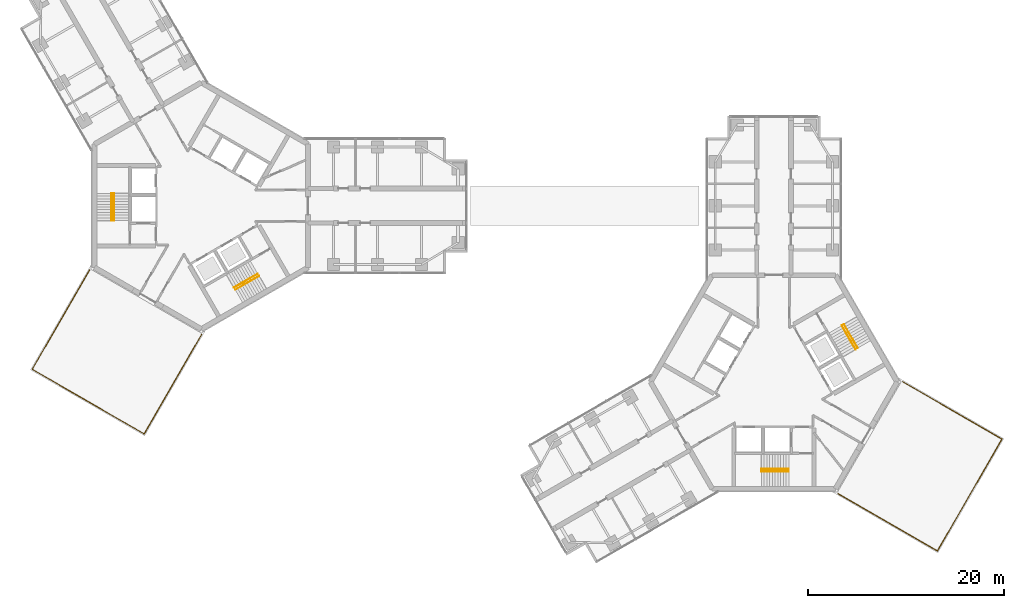
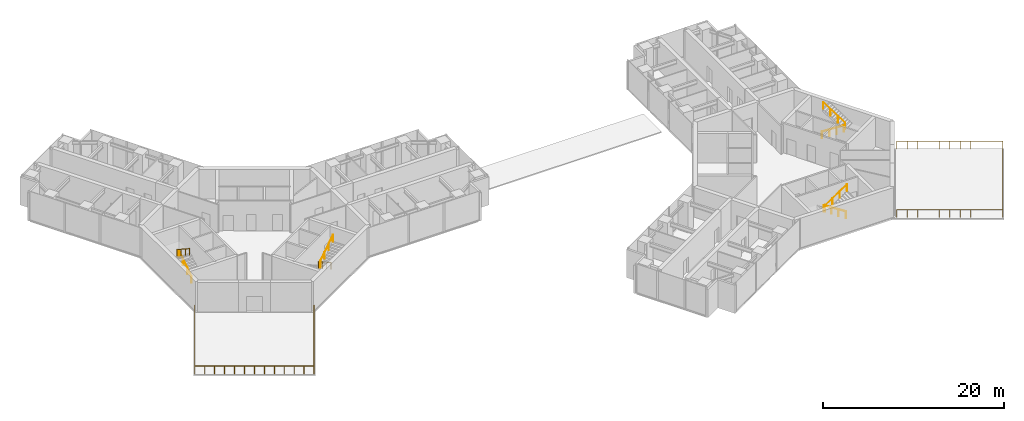
# One storey, part 17 of 18: 10 railings.
"""IFC4 building model written with IfcOpenShell, lengths in metres."""

from ifc_helpers import new_model, si_unit, direction, frame, origin, origin_2d, place, context, subcontext, project, spatial, circle, extrude, material, type_object, element, save


model = new_model("IFC4")

# Units and contexts
model_context = context("Model", 3, precision=1e-05, world=origin(), true_north=direction((0.0, 1.0)))
body_context = subcontext(model_context, "Body", "Model", "MODEL_VIEW")
ifc_project = project(units=[si_unit("LENGTHUNIT", "METRE"), si_unit("AREAUNIT", "SQUARE_METRE"), si_unit("VOLUMEUNIT", "CUBIC_METRE"), si_unit("PLANEANGLEUNIT", "RADIAN"), si_unit("MASSUNIT", "GRAM", prefix="KILO")], contexts=[model_context])

# Site, building, storey
site_placement = place(None, origin())
site = spatial("IfcSite", under=ifc_project, at=site_placement, CompositionType="ELEMENT")
building_placement = place(site_placement, origin())
building = spatial("IfcBuilding", under=site, at=building_placement, Name="Upepo Twin Towers", CompositionType="ELEMENT")
storey_placement = place(building_placement, frame((0.0, 0.0, 170.5)))
storey = spatial("IfcBuildingStorey", under=building, at=storey_placement, Name="L41", CompositionType="ELEMENT", Elevation=170.5)

# Railings
ifc_material_1 = material(Name="Stainless steel", Category="steel")
railing_type_1 = type_object("IfcRailingType", Name="Stair handrail 900", PredefinedType="HANDRAIL", material=ifc_material_1)
railing_1_placement = place(storey_placement, frame((-8.89990234375, -1.52001953125, 0.181884765625)))
element("IfcRailing", 1, at=railing_1_placement, inside=storey, type_object=railing_type_1, Name="T1 stair S1 L41 handrail 1", PredefinedType="HANDRAIL", context=body_context, shape_type="SweptSolid", body=[
    extrude(circle(Radius=0.02392578125, at=origin_2d()), frame((0.0, 0.0, 0.8759765625), z_axis=(0.0, 0.838705829183, 0.544584733623), x_axis=(-1.0, 0.0, 0.0)), (0.0, 0.0, 1.0), 3.338623046875),
    extrude(circle(Radius=0.02099609375, at=origin_2d()), origin(), (0.0, 0.0, 1.0), 0.851806640625),
    extrude(circle(Radius=0.02099609375, at=origin_2d()), frame((0.0, 0.933349609375, 0.60595703125)), (0.0, 0.0, 1.0), 0.851806640625),
    extrude(circle(Radius=0.02099609375, at=origin_2d()), frame((0.0, 1.86669921875, 1.212158203125)), (0.0, 0.0, 1.0), 0.851806640625),
    extrude(circle(Radius=0.02099609375, at=origin_2d()), frame((0.0, 2.800048828125, 1.818115234375)), (0.0, 0.0, 1.0), 0.851806640625),
])
railing_2_placement = place(storey_placement, frame((-9.158447265625, 1.280029296875, 2.181884765625)))
element("IfcRailing", 2, at=railing_2_placement, inside=storey, type_object=railing_type_1, Name="T1 stair S1 L41 handrail 2", PredefinedType="HANDRAIL", context=body_context, shape_type="SweptSolid", body=[
    extrude(circle(Radius=0.02392578125, at=origin_2d()), frame((0.0, 0.0, 0.8759765625), z_axis=(0.0, -0.838705829183, 0.544584733623), x_axis=(1.0, 0.0, 0.0)), (0.0, 0.0, 1.0), 3.338623046875),
    extrude(circle(Radius=0.02099609375, at=origin_2d()), origin(), (0.0, 0.0, 1.0), 0.851806640625),
    extrude(circle(Radius=0.02099609375, at=origin_2d()), frame((0.0, -0.933349609375, 0.60595703125)), (0.0, 0.0, 1.0), 0.851806640625),
    extrude(circle(Radius=0.02099609375, at=origin_2d()), frame((0.0, -1.86669921875, 1.212158203125)), (0.0, 0.0, 1.0), 0.851806640625),
    extrude(circle(Radius=0.02099609375, at=origin_2d()), frame((0.0, -2.800048828125, 1.818115234375)), (0.0, 0.0, 1.0), 0.851806640625),
])
railing_3_placement = place(storey_placement, frame((5.766357421875, -6.947509765625, 0.181884765625)))
element("IfcRailing", 3, at=railing_3_placement, inside=storey, type_object=railing_type_1, Name="T1 stair S2 L41 handrail 1", PredefinedType="HANDRAIL", context=body_context, shape_type="SweptSolid", body=[
    extrude(circle(Radius=0.02392578125, at=origin_2d()), frame((0.0, 0.0, 0.8759765625), z_axis=(-0.726314030065, -0.419392968428, 0.544589265193), x_axis=(0.500049511043, -0.865996816683, 0.0)), (0.0, 0.0, 1.0), 3.338623046875),
    extrude(circle(Radius=0.02099609375, at=origin_2d()), origin(), (0.0, 0.0, 1.0), 0.851806640625),
    extrude(circle(Radius=0.02099609375, at=origin_2d()), frame((-0.808349609375, -0.466796875, 0.60595703125)), (0.0, 0.0, 1.0), 0.851806640625),
    extrude(circle(Radius=0.02099609375, at=origin_2d()), frame((-1.616455078125, -0.933349609375, 1.212158203125)), (0.0, 0.0, 1.0), 0.851806640625),
    extrude(circle(Radius=0.02099609375, at=origin_2d()), frame((-2.4248046875, -1.400146484375, 1.818115234375)), (0.0, 0.0, 1.0), 0.851806640625),
])
railing_4_placement = place(storey_placement, frame((3.470703125, -8.5712890625, 2.181884765625)))
element("IfcRailing", 4, at=railing_4_placement, inside=storey, type_object=railing_type_1, Name="T1 stair S2 L41 handrail 2", PredefinedType="HANDRAIL", context=body_context, shape_type="SweptSolid", body=[
    extrude(circle(Radius=0.02392578125, at=origin_2d()), frame((0.0, 0.0, 0.8759765625), z_axis=(0.726336304947, 0.419332699614, 0.544605966869), x_axis=(-0.49998411664, 0.866034573852, 0.0)), (0.0, 0.0, 1.0), 3.33837890625),
    extrude(circle(Radius=0.02099609375, at=origin_2d()), origin(), (0.0, 0.0, 1.0), 0.851806640625),
    extrude(circle(Radius=0.02099609375, at=origin_2d()), frame((0.808349609375, 0.466552734375, 0.60595703125)), (0.0, 0.0, 1.0), 0.851806640625),
    extrude(circle(Radius=0.02099609375, at=origin_2d()), frame((1.616455078125, 0.933349609375, 1.212158203125)), (0.0, 0.0, 1.0), 0.851806640625),
    extrude(circle(Radius=0.02099609375, at=origin_2d()), frame((2.4248046875, 1.39990234375, 1.818115234375)), (0.0, 0.0, 1.0), 0.851806640625),
])
railing_5_placement = place(storey_placement, frame((60.02001953125, -26.89990234375, 0.181884765625)))
element("IfcRailing", 5, at=railing_5_placement, inside=storey, type_object=railing_type_1, Name="T2 stair S1 L41 handrail 1", PredefinedType="HANDRAIL", context=body_context, shape_type="SweptSolid", body=[
    extrude(circle(Radius=0.02392578125, at=origin_2d()), frame((0.0, 0.0, 0.8759765625), z_axis=(-0.838705829183, 0.0, 0.544584733623), x_axis=(0.0, -1.0, 0.0)), (0.0, 0.0, 1.0), 3.338623046875),
    extrude(circle(Radius=0.02099609375, at=origin_2d()), origin(), (0.0, 0.0, 1.0), 0.851806640625),
    extrude(circle(Radius=0.02099609375, at=origin_2d()), frame((-0.933349609375, 0.0, 0.60595703125)), (0.0, 0.0, 1.0), 0.851806640625),
    extrude(circle(Radius=0.02099609375, at=origin_2d()), frame((-1.86669921875, 0.0, 1.212158203125)), (0.0, 0.0, 1.0), 0.851806640625),
    extrude(circle(Radius=0.02099609375, at=origin_2d()), frame((-2.800048828125, 0.0, 1.818115234375)), (0.0, 0.0, 1.0), 0.851806640625),
])
railing_6_placement = place(storey_placement, frame((57.219970703125, -27.158447265625, 2.181884765625)))
element("IfcRailing", 6, at=railing_6_placement, inside=storey, type_object=railing_type_1, Name="T2 stair S1 L41 handrail 2", PredefinedType="HANDRAIL", context=body_context, shape_type="SweptSolid", body=[
    extrude(circle(Radius=0.02392578125, at=origin_2d()), frame((0.0, 0.0, 0.8759765625), z_axis=(0.838705829183, 0.0, 0.544584733623), x_axis=(0.0, 1.0, 0.0)), (0.0, 0.0, 1.0), 3.338623046875),
    extrude(circle(Radius=0.02099609375, at=origin_2d()), origin(), (0.0, 0.0, 1.0), 0.851806640625),
    extrude(circle(Radius=0.02099609375, at=origin_2d()), frame((0.933349609375, 0.0, 0.60595703125)), (0.0, 0.0, 1.0), 0.851806640625),
    extrude(circle(Radius=0.02099609375, at=origin_2d()), frame((1.86669921875, 0.0, 1.212158203125)), (0.0, 0.0, 1.0), 0.851806640625),
    extrude(circle(Radius=0.02099609375, at=origin_2d()), frame((2.800048828125, 0.0, 1.818115234375)), (0.0, 0.0, 1.0), 0.851806640625),
])
railing_7_placement = place(storey_placement, frame((65.447509765625, -12.233642578125, 0.181884765625)))
element("IfcRailing", 7, at=railing_7_placement, inside=storey, type_object=railing_type_1, Name="T2 stair S2 L41 handrail 1", PredefinedType="HANDRAIL", context=body_context, shape_type="SweptSolid", body=[
    extrude(circle(Radius=0.02392578125, at=origin_2d()), frame((0.0, 0.0, 0.8759765625), z_axis=(0.419392968428, -0.726314030065, 0.544589265193), x_axis=(0.865996816683, 0.500049511043, 0.0)), (0.0, 0.0, 1.0), 3.338623046875),
    extrude(circle(Radius=0.02099609375, at=origin_2d()), origin(), (0.0, 0.0, 1.0), 0.851806640625),
    extrude(circle(Radius=0.02099609375, at=origin_2d()), frame((0.466796875, -0.808349609375, 0.60595703125)), (0.0, 0.0, 1.0), 0.851806640625),
    extrude(circle(Radius=0.02099609375, at=origin_2d()), frame((0.933349609375, -1.616455078125, 1.212158203125)), (0.0, 0.0, 1.0), 0.851806640625),
    extrude(circle(Radius=0.02099609375, at=origin_2d()), frame((1.400146484375, -2.4248046875, 1.818115234375)), (0.0, 0.0, 1.0), 0.851806640625),
])
railing_8_placement = place(storey_placement, frame((67.0712890625, -14.529296875, 2.181884765625)))
element("IfcRailing", 8, at=railing_8_placement, inside=storey, type_object=railing_type_1, Name="T2 stair S2 L41 handrail 2", PredefinedType="HANDRAIL", context=body_context, shape_type="SweptSolid", body=[
    extrude(circle(Radius=0.02392578125, at=origin_2d()), frame((0.0, 0.0, 0.8759765625), z_axis=(-0.419332699614, 0.726336304947, 0.544605966869), x_axis=(-0.866034573852, -0.49998411664, 0.0)), (0.0, 0.0, 1.0), 3.33837890625),
    extrude(circle(Radius=0.02099609375, at=origin_2d()), origin(), (0.0, 0.0, 1.0), 0.851806640625),
    extrude(circle(Radius=0.02099609375, at=origin_2d()), frame((-0.466552734375, 0.808349609375, 0.60595703125)), (0.0, 0.0, 1.0), 0.851806640625),
    extrude(circle(Radius=0.02099609375, at=origin_2d()), frame((-0.933349609375, 1.616455078125, 1.212158203125)), (0.0, 0.0, 1.0), 0.851806640625),
    extrude(circle(Radius=0.02099609375, at=origin_2d()), frame((-1.39990234375, 2.4248046875, 1.818115234375)), (0.0, 0.0, 1.0), 0.851806640625),
])
ifc_material_2 = material(Name="Stainless steel and laminated glass", Category="steel")
railing_type_2 = type_object("IfcRailingType", Name="Terrace guard 1100 glass", PredefinedType="GUARDRAIL", material=ifc_material_2)
railing_9_placement = place(storey_placement, frame((0.023193359375, -13.159912109375, 0.0)))
element("IfcRailing", 9, at=railing_9_placement, inside=storey, type_object=railing_type_2, Name="T1 L41 sky terrace guard", PredefinedType="GUARDRAIL", context=body_context, shape_type="SweptSolid", body=[
    extrude(circle(Radius=0.02392578125, at=origin_2d()), frame((0.0, 0.0, 1.076171875), z_axis=(-0.500003275544, -0.86602351264, 0.0), x_axis=(0.86602351264, -0.500003275544, 0.0)), (0.0, 0.0, 1.0), 11.71484375),
    extrude(circle(Radius=0.02392578125, at=origin_2d()), frame((-5.857421875, -10.145263671875, 1.076171875), z_axis=(-0.866024194504, 0.500002094529, 0.0), x_axis=(-0.500002094529, -0.866024194504, 0.0)), (0.0, 0.0, 1.0), 13.2001953125),
    extrude(circle(Radius=0.02392578125, at=origin_2d()), frame((-17.2890625, -3.545166015625, 1.076171875), z_axis=(0.500003275544, 0.86602351264, 0.0), x_axis=(-0.86602351264, 0.500003275544, 0.0)), (0.0, 0.0, 1.0), 11.71484375),
    extrude(circle(Radius=0.02099609375, at=origin_2d()), origin(), (0.0, 0.0, 1.0), 1.052001953125),
    extrude(circle(Radius=0.02099609375, at=origin_2d()), frame((-0.585693359375, -1.0146484375, 0.0)), (0.0, 0.0, 1.0), 1.052001953125),
    extrude(circle(Radius=0.02099609375, at=origin_2d()), frame((-1.17138671875, -2.029052734375, 0.0)), (0.0, 0.0, 1.0), 1.052001953125),
    extrude(circle(Radius=0.02099609375, at=origin_2d()), frame((-1.75732421875, -3.04345703125, 0.0)), (0.0, 0.0, 1.0), 1.052001953125),
    extrude(circle(Radius=0.02099609375, at=origin_2d()), frame((-2.343017578125, -4.05810546875, 0.0)), (0.0, 0.0, 1.0), 1.052001953125),
    extrude(circle(Radius=0.02099609375, at=origin_2d()), frame((-2.9287109375, -5.07275390625, 0.0)), (0.0, 0.0, 1.0), 1.052001953125),
    extrude(circle(Radius=0.02099609375, at=origin_2d()), frame((-3.514404296875, -6.087158203125, 0.0)), (0.0, 0.0, 1.0), 1.052001953125),
    extrude(circle(Radius=0.02099609375, at=origin_2d()), frame((-4.10009765625, -7.1015625, 0.0)), (0.0, 0.0, 1.0), 1.052001953125),
    extrude(circle(Radius=0.02099609375, at=origin_2d()), frame((-4.68603515625, -8.1162109375, 0.0)), (0.0, 0.0, 1.0), 1.052001953125),
    extrude(circle(Radius=0.02099609375, at=origin_2d()), frame((-5.271728515625, -9.130859375, 0.0)), (0.0, 0.0, 1.0), 1.052001953125),
    extrude(circle(Radius=0.02099609375, at=origin_2d()), frame((-5.857421875, -10.145263671875, 0.0)), (0.0, 0.0, 1.0), 1.052001953125),
    extrude(circle(Radius=0.02099609375, at=origin_2d()), frame((-6.81005859375, -9.59521484375, 0.0)), (0.0, 0.0, 1.0), 1.052001953125),
    extrude(circle(Radius=0.02099609375, at=origin_2d()), frame((-7.7626953125, -9.045166015625, 0.0)), (0.0, 0.0, 1.0), 1.052001953125),
    extrude(circle(Radius=0.02099609375, at=origin_2d()), frame((-8.71533203125, -8.4951171875, 0.0)), (0.0, 0.0, 1.0), 1.052001953125),
    extrude(circle(Radius=0.02099609375, at=origin_2d()), frame((-9.66796875, -7.9453125, 0.0)), (0.0, 0.0, 1.0), 1.052001953125),
    extrude(circle(Radius=0.02099609375, at=origin_2d()), frame((-10.62060546875, -7.395263671875, 0.0)), (0.0, 0.0, 1.0), 1.052001953125),
    extrude(circle(Radius=0.02099609375, at=origin_2d()), frame((-11.5732421875, -6.84521484375, 0.0)), (0.0, 0.0, 1.0), 1.052001953125),
    extrude(circle(Radius=0.02099609375, at=origin_2d()), frame((-12.52587890625, -6.295166015625, 0.0)), (0.0, 0.0, 1.0), 1.052001953125),
    extrude(circle(Radius=0.02099609375, at=origin_2d()), frame((-13.478515625, -5.7451171875, 0.0)), (0.0, 0.0, 1.0), 1.052001953125),
    extrude(circle(Radius=0.02099609375, at=origin_2d()), frame((-14.43115234375, -5.1953125, 0.0)), (0.0, 0.0, 1.0), 1.052001953125),
    extrude(circle(Radius=0.02099609375, at=origin_2d()), frame((-15.3837890625, -4.645263671875, 0.0)), (0.0, 0.0, 1.0), 1.052001953125),
    extrude(circle(Radius=0.02099609375, at=origin_2d()), frame((-16.33642578125, -4.09521484375, 0.0)), (0.0, 0.0, 1.0), 1.052001953125),
    extrude(circle(Radius=0.02099609375, at=origin_2d()), frame((-17.2890625, -3.545166015625, 0.0)), (0.0, 0.0, 1.0), 1.052001953125),
    extrude(circle(Radius=0.02099609375, at=origin_2d()), frame((-16.703369140625, -2.53076171875, 0.0)), (0.0, 0.0, 1.0), 1.052001953125),
    extrude(circle(Radius=0.02099609375, at=origin_2d()), frame((-16.11767578125, -1.51611328125, 0.0)), (0.0, 0.0, 1.0), 1.052001953125),
    extrude(circle(Radius=0.02099609375, at=origin_2d()), frame((-15.53173828125, -0.50146484375, 0.0)), (0.0, 0.0, 1.0), 1.052001953125),
    extrude(circle(Radius=0.02099609375, at=origin_2d()), frame((-14.946044921875, 0.512939453125, 0.0)), (0.0, 0.0, 1.0), 1.052001953125),
    extrude(circle(Radius=0.02099609375, at=origin_2d()), frame((-14.3603515625, 1.52734375, 0.0)), (0.0, 0.0, 1.0), 1.052001953125),
    extrude(circle(Radius=0.02099609375, at=origin_2d()), frame((-13.774658203125, 2.5419921875, 0.0)), (0.0, 0.0, 1.0), 1.052001953125),
    extrude(circle(Radius=0.02099609375, at=origin_2d()), frame((-13.18896484375, 3.556396484375, 0.0)), (0.0, 0.0, 1.0), 1.052001953125),
    extrude(circle(Radius=0.02099609375, at=origin_2d()), frame((-12.60302734375, 4.571044921875, 0.0)), (0.0, 0.0, 1.0), 1.052001953125),
    extrude(circle(Radius=0.02099609375, at=origin_2d()), frame((-12.017333984375, 5.58544921875, 0.0)), (0.0, 0.0, 1.0), 1.052001953125),
    extrude(circle(Radius=0.02099609375, at=origin_2d()), frame((-11.431640625, 6.60009765625, 0.0)), (0.0, 0.0, 1.0), 1.052001953125),
])
railing_10_placement = place(storey_placement, frame((71.659912109375, -17.976806640625, 0.0)))
element("IfcRailing", 10, at=railing_10_placement, inside=storey, type_object=railing_type_2, Name="T2 L41 sky terrace guard", PredefinedType="GUARDRAIL", context=body_context, shape_type="SweptSolid", body=[
    extrude(circle(Radius=0.02392578125, at=origin_2d()), frame((0.0, 0.0, 1.076171875), z_axis=(0.86602351264, -0.500003275544, 0.0), x_axis=(0.500003275544, 0.86602351264, 0.0)), (0.0, 0.0, 1.0), 11.71484375),
    extrude(circle(Radius=0.02392578125, at=origin_2d()), frame((10.145263671875, -5.857421875, 1.076171875), z_axis=(-0.500002094529, -0.866024194504, 0.0), x_axis=(0.866024194504, -0.500002094529, 0.0)), (0.0, 0.0, 1.0), 13.2001953125),
    extrude(circle(Radius=0.02392578125, at=origin_2d()), frame((3.545166015625, -17.2890625, 1.076171875), z_axis=(-0.86602351264, 0.500003275544, 0.0), x_axis=(-0.500003275544, -0.86602351264, 0.0)), (0.0, 0.0, 1.0), 11.71484375),
    extrude(circle(Radius=0.02099609375, at=origin_2d()), origin(), (0.0, 0.0, 1.0), 1.052001953125),
    extrude(circle(Radius=0.02099609375, at=origin_2d()), frame((1.0146484375, -0.585693359375, 0.0)), (0.0, 0.0, 1.0), 1.052001953125),
    extrude(circle(Radius=0.02099609375, at=origin_2d()), frame((2.029052734375, -1.17138671875, 0.0)), (0.0, 0.0, 1.0), 1.052001953125),
    extrude(circle(Radius=0.02099609375, at=origin_2d()), frame((3.04345703125, -1.75732421875, 0.0)), (0.0, 0.0, 1.0), 1.052001953125),
    extrude(circle(Radius=0.02099609375, at=origin_2d()), frame((4.05810546875, -2.343017578125, 0.0)), (0.0, 0.0, 1.0), 1.052001953125),
    extrude(circle(Radius=0.02099609375, at=origin_2d()), frame((5.07275390625, -2.9287109375, 0.0)), (0.0, 0.0, 1.0), 1.052001953125),
    extrude(circle(Radius=0.02099609375, at=origin_2d()), frame((6.087158203125, -3.514404296875, 0.0)), (0.0, 0.0, 1.0), 1.052001953125),
    extrude(circle(Radius=0.02099609375, at=origin_2d()), frame((7.1015625, -4.10009765625, 0.0)), (0.0, 0.0, 1.0), 1.052001953125),
    extrude(circle(Radius=0.02099609375, at=origin_2d()), frame((8.1162109375, -4.68603515625, 0.0)), (0.0, 0.0, 1.0), 1.052001953125),
    extrude(circle(Radius=0.02099609375, at=origin_2d()), frame((9.130859375, -5.271728515625, 0.0)), (0.0, 0.0, 1.0), 1.052001953125),
    extrude(circle(Radius=0.02099609375, at=origin_2d()), frame((10.145263671875, -5.857421875, 0.0)), (0.0, 0.0, 1.0), 1.052001953125),
    extrude(circle(Radius=0.02099609375, at=origin_2d()), frame((9.59521484375, -6.81005859375, 0.0)), (0.0, 0.0, 1.0), 1.052001953125),
    extrude(circle(Radius=0.02099609375, at=origin_2d()), frame((9.045166015625, -7.7626953125, 0.0)), (0.0, 0.0, 1.0), 1.052001953125),
    extrude(circle(Radius=0.02099609375, at=origin_2d()), frame((8.4951171875, -8.71533203125, 0.0)), (0.0, 0.0, 1.0), 1.052001953125),
    extrude(circle(Radius=0.02099609375, at=origin_2d()), frame((7.9453125, -9.66796875, 0.0)), (0.0, 0.0, 1.0), 1.052001953125),
    extrude(circle(Radius=0.02099609375, at=origin_2d()), frame((7.395263671875, -10.62060546875, 0.0)), (0.0, 0.0, 1.0), 1.052001953125),
    extrude(circle(Radius=0.02099609375, at=origin_2d()), frame((6.84521484375, -11.5732421875, 0.0)), (0.0, 0.0, 1.0), 1.052001953125),
    extrude(circle(Radius=0.02099609375, at=origin_2d()), frame((6.295166015625, -12.52587890625, 0.0)), (0.0, 0.0, 1.0), 1.052001953125),
    extrude(circle(Radius=0.02099609375, at=origin_2d()), frame((5.7451171875, -13.478515625, 0.0)), (0.0, 0.0, 1.0), 1.052001953125),
    extrude(circle(Radius=0.02099609375, at=origin_2d()), frame((5.1953125, -14.43115234375, 0.0)), (0.0, 0.0, 1.0), 1.052001953125),
    extrude(circle(Radius=0.02099609375, at=origin_2d()), frame((4.645263671875, -15.3837890625, 0.0)), (0.0, 0.0, 1.0), 1.052001953125),
    extrude(circle(Radius=0.02099609375, at=origin_2d()), frame((4.09521484375, -16.33642578125, 0.0)), (0.0, 0.0, 1.0), 1.052001953125),
    extrude(circle(Radius=0.02099609375, at=origin_2d()), frame((3.545166015625, -17.2890625, 0.0)), (0.0, 0.0, 1.0), 1.052001953125),
    extrude(circle(Radius=0.02099609375, at=origin_2d()), frame((2.53076171875, -16.703369140625, 0.0)), (0.0, 0.0, 1.0), 1.052001953125),
    extrude(circle(Radius=0.02099609375, at=origin_2d()), frame((1.51611328125, -16.11767578125, 0.0)), (0.0, 0.0, 1.0), 1.052001953125),
    extrude(circle(Radius=0.02099609375, at=origin_2d()), frame((0.50146484375, -15.53173828125, 0.0)), (0.0, 0.0, 1.0), 1.052001953125),
    extrude(circle(Radius=0.02099609375, at=origin_2d()), frame((-0.512939453125, -14.946044921875, 0.0)), (0.0, 0.0, 1.0), 1.052001953125),
    extrude(circle(Radius=0.02099609375, at=origin_2d()), frame((-1.52734375, -14.3603515625, 0.0)), (0.0, 0.0, 1.0), 1.052001953125),
    extrude(circle(Radius=0.02099609375, at=origin_2d()), frame((-2.5419921875, -13.774658203125, 0.0)), (0.0, 0.0, 1.0), 1.052001953125),
    extrude(circle(Radius=0.02099609375, at=origin_2d()), frame((-3.556396484375, -13.18896484375, 0.0)), (0.0, 0.0, 1.0), 1.052001953125),
    extrude(circle(Radius=0.02099609375, at=origin_2d()), frame((-4.571044921875, -12.60302734375, 0.0)), (0.0, 0.0, 1.0), 1.052001953125),
    extrude(circle(Radius=0.02099609375, at=origin_2d()), frame((-5.58544921875, -12.017333984375, 0.0)), (0.0, 0.0, 1.0), 1.052001953125),
    extrude(circle(Radius=0.02099609375, at=origin_2d()), frame((-6.60009765625, -11.431640625, 0.0)), (0.0, 0.0, 1.0), 1.052001953125),
])

save(model, "model.ifc")
